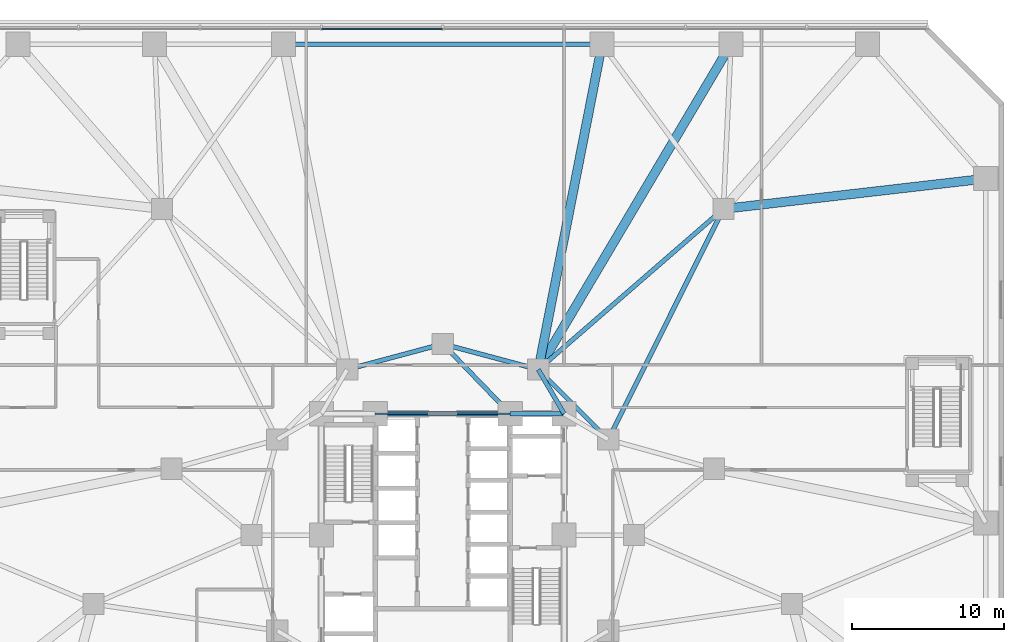
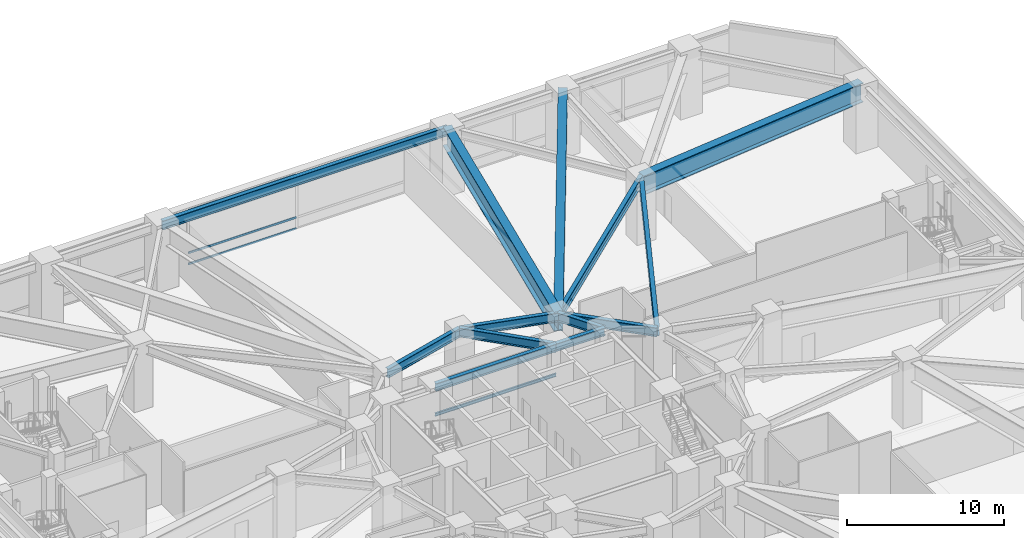
# One storey, part 10 of 28: 14 beams, 3 members, 1 element without a shape of its own.
"""IFC4 building model written with IfcOpenShell, lengths in metres."""

from ifc_helpers import new_model, si_unit, direction, frame, origin, origin_2d, place, context, subcontext, project, spatial, rectangle, i_section, extrude, material, layer, layer_set, material_profile, profile_set, type_object, element, aggregate, save


model = new_model("IFC4")

# Units and contexts
model_context = context("Model", 3, precision=1e-05, world=origin(), true_north=direction((0.0, 1.0)))
body_context = subcontext(model_context, "Body", "Model", "MODEL_VIEW")
ifc_project = project(units=[si_unit("LENGTHUNIT", "METRE"), si_unit("AREAUNIT", "SQUARE_METRE"), si_unit("VOLUMEUNIT", "CUBIC_METRE"), si_unit("PLANEANGLEUNIT", "RADIAN"), si_unit("MASSUNIT", "GRAM", prefix="KILO")], contexts=[model_context])

# Site, building, storey
site_placement = place(None, origin())
site = spatial("IfcSite", under=ifc_project, at=site_placement, CompositionType="ELEMENT")
building_placement = place(site_placement, origin())
building = spatial("IfcBuilding", under=site, at=building_placement, Name="Terralouvre Media Tower", CompositionType="ELEMENT")
storey_placement = place(building_placement, frame((0.0, 0.0, 10.39990234375)))
storey = spatial("IfcBuildingStorey", under=building, at=storey_placement, Name="L02", CompositionType="ELEMENT", Elevation=10.39990234375)

# Curtain wall, members
ifc_material_1 = material(Name="Low-iron laminated double glazing with solar-control coating", Category="glass")
ifc_layer = layer(ifc_material_1, 0.1650390625, Name="Podium Broadcast Gallery Glazing CW-01")
ifc_layer_set = layer_set([ifc_layer], Name="Low-iron laminated double glazing with solar-control coating")
curtain_wall_type = type_object("IfcCurtainWallType", Name="Podium Broadcast Gallery Glazing CW-01", PredefinedType="NOTDEFINED", material=ifc_layer_set)
curtain_wall_placement = place(storey_placement, origin())
curtain_wall = element("IfcCurtainWall", 1, at=curtain_wall_placement, inside=storey, type_object=curtain_wall_type, Name="L02 Podium Curtain Wall F4", PredefinedType="NOTDEFINED")
ifc_material_2 = material(Name="Anodised extruded aluminium 6063-T6", Category="aluminium")
ifc_material_profile_1 = material_profile(ifc_material_2, rectangle(XDim=0.074951171875, YDim=0.14990234375, at=origin_2d()), Name="ALU 75x150")
ifc_profile_set_1 = profile_set([ifc_material_profile_1], Name="Anodised extruded aluminium 6063-T6")
member_type = type_object("IfcMemberType", Name="Curtain-Wall Horizontal Transom TR-150", PredefinedType="USERDEFINED", material=ifc_profile_set_1)
member_1_placement = place(storey_placement, frame((-0.03759765625, 33.360107421875, 0.03759765625), z_axis=(-1.0, 0.0, 0.0), x_axis=(0.0, -1.0, 0.0)))
member_1 = element("IfcMember", 2, at=member_1_placement, type_object=member_type, Name="CW-01 transom 5.1", ObjectType="TRANSOM", PredefinedType="USERDEFINED", context=body_context, shape_type="SweptSolid", body=[
    extrude(rectangle(XDim=0.074951171875, YDim=0.14990234375, at=origin_2d()), origin(), (0.0, 0.0, 1.0), 7.9248046875),
])
member_2_placement = place(storey_placement, frame((-0.03759765625, 33.360107421875, 0.900146484375), z_axis=(-1.0, 0.0, 0.0), x_axis=(0.0, -1.0, 0.0)))
member_2 = element("IfcMember", 3, at=member_2_placement, type_object=member_type, Name="CW-01 transom 5.2", ObjectType="TRANSOM", PredefinedType="USERDEFINED", context=body_context, shape_type="SweptSolid", body=[
    extrude(rectangle(XDim=0.074951171875, YDim=0.14990234375, at=origin_2d()), origin(), (0.0, 0.0, 1.0), 7.9248046875),
])
member_3_placement = place(storey_placement, frame((-0.03759765625, 33.360107421875, 4.192626953125), z_axis=(-1.0, 0.0, 0.0), x_axis=(0.0, -1.0, 0.0)))
member_3 = element("IfcMember", 4, at=member_3_placement, type_object=member_type, Name="CW-01 transom 5.3", ObjectType="TRANSOM", PredefinedType="USERDEFINED", context=body_context, shape_type="SweptSolid", body=[
    extrude(rectangle(XDim=0.074951171875, YDim=0.14990234375, at=origin_2d()), origin(), (0.0, 0.0, 1.0), 7.9248046875),
])
aggregate(curtain_wall, [member_1, member_2, member_3])

# Beams
ifc_material_3 = material(Name="Structural steel S355J2", Category="steel")
ifc_material_profile_2 = material_profile(ifc_material_3, i_section(OverallWidth=0.1201171875, OverallDepth=0.239990234375, WebThickness=0.006103515625, FlangeThickness=0.009765625, at=origin_2d()), Name="IPE 240")
ifc_profile_set_2 = profile_set([ifc_material_profile_2], Name="Structural steel S355J2")
beam_type_1 = type_object("IfcBeamType", Name="Opening Lintel Beam LN-240 (IPE 240)", PredefinedType="LINTEL", material=ifc_profile_set_2)
beam_1_placement = place(storey_placement, frame((-4.449951171875, 8.0, 2.47021484375), z_axis=(1.0, 0.0, 0.0), x_axis=(0.0, 1.0, 0.0)))
element("IfcBeam", 5, at=beam_1_placement, inside=storey, type_object=beam_type_1, Name="L02 Core North Portal Lintel LN-05", PredefinedType="LINTEL", context=body_context, shape_type="SweptSolid", body=[
    extrude(i_section(OverallWidth=0.1201171875, OverallDepth=0.239990234375, WebThickness=0.006103515625, FlangeThickness=0.009765625, at=origin_2d()), origin(), (0.0, 0.0, 1.0), 8.89990234375),
])
ifc_material_4 = material(Name="Structural steel S460M", Category="steel")
ifc_material_profile_3 = material_profile(ifc_material_4, i_section(OverallWidth=0.300048828125, OverallDepth=0.60009765625, WebThickness=0.015380859375, FlangeThickness=0.030029296875, at=origin_2d()), Name="HEB 600")
ifc_profile_set_3 = profile_set([ifc_material_profile_3], Name="Structural steel S460M")
beam_type_2 = type_object("IfcBeamType", Name="Primary Floor Girder B-HEB600 (HEB 600)", PredefinedType="BEAM", material=ifc_profile_set_3)
beam_2_placement = place(storey_placement, frame((8.0, 8.0, 4.650146484375), z_axis=(-1.0, 0.0, 0.0), x_axis=(0.0, -1.0, 0.0)))
element("IfcBeam", 6, at=beam_2_placement, inside=storey, type_object=beam_type_2, Name="L02 Framing Beam BM-L02-CPR06", PredefinedType="BEAM", context=body_context, shape_type="SweptSolid", body=[
    extrude(i_section(OverallWidth=0.300048828125, OverallDepth=0.60009765625, WebThickness=0.015380859375, FlangeThickness=0.030029296875, at=origin_2d()), origin(), (0.0, 0.0, 1.0), 3.550048828125),
])
beam_3_placement = place(storey_placement, frame((4.449951171875, 8.0, 4.650146484375), z_axis=(-1.0, 0.0, 0.0), x_axis=(0.0, -1.0, 0.0)))
element("IfcBeam", 7, at=beam_3_placement, inside=storey, type_object=beam_type_2, Name="L02 Framing Beam BM-L02-CPR07", PredefinedType="BEAM", context=body_context, shape_type="SweptSolid", body=[
    extrude(i_section(OverallWidth=0.300048828125, OverallDepth=0.60009765625, WebThickness=0.015380859375, FlangeThickness=0.030029296875, at=origin_2d()), origin(), (0.0, 0.0, 1.0), 8.89990234375),
])
ifc_material_5 = material(Name="Structural steel S460M", Category="steel")
ifc_material_profile_4 = material_profile(ifc_material_5, i_section(OverallWidth=0.300048828125, OverallDepth=0.699951171875, WebThickness=0.01708984375, FlangeThickness=0.031982421875, at=origin_2d()), Name="HEB 700")
ifc_profile_set_4 = profile_set([ifc_material_profile_4], Name="Structural steel S460M")
beam_type_3 = type_object("IfcBeamType", Name="Primary Floor Girder B-HEB700 (HEB 700)", PredefinedType="BEAM", material=ifc_profile_set_4)
beam_4_placement = place(storey_placement, frame((10.911865234375, 6.300048828125, 4.60009765625), z_axis=(-0.707106781187, 0.707106781187, 0.0), x_axis=(-0.707106781187, -0.707106781187, 0.0)))
element("IfcBeam", 8, at=beam_4_placement, inside=storey, type_object=beam_type_3, Name="L02 Framing Beam BM-L02-MR07", PredefinedType="BEAM", context=body_context, shape_type="SweptSolid", body=[
    extrude(i_section(OverallWidth=0.300048828125, OverallDepth=0.699951171875, WebThickness=0.01708984375, FlangeThickness=0.031982421875, at=origin_2d()), origin(), (0.0, 0.0, 1.0), 6.52197265625),
])
for number, where, z_axis, x_axis, name in (
    (9, (6.300048828125, 10.911865234375, 4.60009765625), (-0.965920481897, 0.258838989821, 0.0), (-0.258838989821, -0.965920481897, 0.0), "L02 Framing Beam BM-L02-MR08"),
    (10, (0.0, 12.60009765625, 4.60009765625), (-0.965920481897, -0.258838989821, 0.0), (0.258838989821, -0.965920481897, 0.0), "L02 Framing Beam BM-L02-MR09"),
):
    element("IfcBeam", number, at=place(storey_placement, frame(where, z_axis=z_axis, x_axis=x_axis)), inside=storey, type_object=beam_type_3, Name=name, PredefinedType="BEAM", context=body_context, shape_type="SweptSolid", body=[
        extrude(i_section(OverallWidth=0.300048828125, OverallDepth=0.699951171875, WebThickness=0.01708984375, FlangeThickness=0.031982421875, at=origin_2d()), origin(), (0.0, 0.0, 1.0), 6.522216796875),
    ])
beam_5_placement = place(storey_placement, frame((8.0, 8.0, 4.60009765625), z_axis=(-0.504172629717, 0.863602894532, 0.0), x_axis=(-0.863602894532, -0.504172629717, 0.0)))
element("IfcBeam", 11, at=beam_5_placement, inside=storey, type_object=beam_type_3, Name="L02 Framing Beam BM-L02-CM08", PredefinedType="BEAM", context=body_context, shape_type="SweptSolid", body=[
    extrude(i_section(OverallWidth=0.300048828125, OverallDepth=0.699951171875, WebThickness=0.01708984375, FlangeThickness=0.031982421875, at=origin_2d()), origin(), (0.0, 0.0, 1.0), 3.371826171875),
])
beam_6_placement = place(storey_placement, frame((4.449951171875, 8.0, 4.60009765625), z_axis=(-0.695279715726, 0.718739255155, 0.0), x_axis=(-0.718739255155, -0.695279715726, 0.0)))
element("IfcBeam", 12, at=beam_6_placement, inside=storey, type_object=beam_type_3, Name="L02 Framing Beam BM-L02-CM09", PredefinedType="BEAM", context=body_context, shape_type="SweptSolid", body=[
    extrude(i_section(OverallWidth=0.300048828125, OverallDepth=0.699951171875, WebThickness=0.01708984375, FlangeThickness=0.031982421875, at=origin_2d()), origin(), (0.0, 0.0, 1.0), 6.400146484375),
])
beam_7_placement = place(storey_placement, frame((6.300048828125, 10.911865234375, 4.60009765625), z_axis=(0.755234116228, 0.65545513171, 0.0), x_axis=(-0.65545513171, 0.755234116228, 0.0)))
element("IfcBeam", 13, at=beam_7_placement, inside=storey, type_object=beam_type_3, Name="L02 Framing Beam BM-L02-PM20M1", PredefinedType="BEAM", context=body_context, shape_type="SweptSolid", body=[
    extrude(i_section(OverallWidth=0.300048828125, OverallDepth=0.699951171875, WebThickness=0.01708984375, FlangeThickness=0.031982421875, at=origin_2d()), origin(), (0.0, 0.0, 1.0), 16.15380859375),
])
beam_8_placement = place(storey_placement, frame((10.911865234375, 6.300048828125, 4.60009765625), z_axis=(0.446655925193, 0.894705808906, 0.0), x_axis=(-0.894705808906, 0.446655925193, 0.0)))
element("IfcBeam", 14, at=beam_8_placement, inside=storey, type_object=beam_type_3, Name="L02 Framing Beam BM-L02-PM20M2", PredefinedType="BEAM", context=body_context, shape_type="SweptSolid", body=[
    extrude(i_section(OverallWidth=0.300048828125, OverallDepth=0.699951171875, WebThickness=0.01708984375, FlangeThickness=0.031982421875, at=origin_2d()), origin(), (0.0, 0.0, 1.0), 16.98876953125),
])
beam_9_placement = place(storey_placement, frame((10.5, 32.35009765625, 4.60009765625), z_axis=(-1.0, 0.0, 0.0), x_axis=(0.0, -1.0, 0.0)))
element("IfcBeam", 15, at=beam_9_placement, inside=storey, type_object=beam_type_3, Name="L02 Framing Beam BM-L02-PR13", PredefinedType="BEAM", context=body_context, shape_type="SweptSolid", body=[
    extrude(i_section(OverallWidth=0.300048828125, OverallDepth=0.699951171875, WebThickness=0.01708984375, FlangeThickness=0.031982421875, at=origin_2d()), origin(), (0.0, 0.0, 1.0), 21.0),
])
ifc_material_6 = material(Name="Structural steel S460M", Category="steel")
ifc_material_profile_5 = material_profile(ifc_material_6, i_section(OverallWidth=0.60009765625, OverallDepth=1.5, WebThickness=0.033935546875, FlangeThickness=0.054931640625, at=origin_2d()), Name="PG 1500x600")
ifc_profile_set_5 = profile_set([ifc_material_profile_5], Name="Structural steel S460M")
beam_type_4 = type_object("IfcBeamType", Name="Primary Floor Girder B-PG1500 (PG 1500x600)", PredefinedType="BEAM", material=ifc_profile_set_5)
beam_10_placement = place(storey_placement, frame((18.5, 21.5, 4.2001953125), z_axis=(0.993383801046, 0.114841733791, 0.0), x_axis=(-0.114841733791, 0.993383801046, 0.0)))
element("IfcBeam", 16, at=beam_10_placement, inside=storey, type_object=beam_type_4, Name="L02 Framing Beam BM-L02-RD10", PredefinedType="BEAM", context=body_context, shape_type="SweptSolid", body=[
    extrude(i_section(OverallWidth=0.60009765625, OverallDepth=1.5, WebThickness=0.033935546875, FlangeThickness=0.054931640625, at=origin_2d()), origin(), (0.0, 0.0, 1.0), 17.415283203125),
])
beam_11_placement = place(storey_placement, frame((6.300048828125, 10.911865234375, 4.2001953125), z_axis=(0.509678035934, 0.860365212969, 0.0), x_axis=(-0.860365212969, 0.509678035934, 0.0)))
element("IfcBeam", 17, at=beam_11_placement, inside=storey, type_object=beam_type_4, Name="L02 Framing Beam BM-L02-RD12", PredefinedType="BEAM", context=body_context, shape_type="SweptSolid", body=[
    extrude(i_section(OverallWidth=0.60009765625, OverallDepth=1.5, WebThickness=0.033935546875, FlangeThickness=0.054931640625, at=origin_2d()), origin(), (0.0, 0.0, 1.0), 24.91748046875),
])
beam_12_placement = place(storey_placement, frame((6.300048828125, 10.911865234375, 4.2001953125), z_axis=(0.192254717948, 0.981345058288, 0.0), x_axis=(-0.981345058288, 0.192254717948, 0.0)))
element("IfcBeam", 18, at=beam_12_placement, inside=storey, type_object=beam_type_4, Name="L02 Framing Beam BM-L02-RD13", PredefinedType="BEAM", context=body_context, shape_type="SweptSolid", body=[
    extrude(i_section(OverallWidth=0.60009765625, OverallDepth=1.5, WebThickness=0.033935546875, FlangeThickness=0.054931640625, at=origin_2d()), origin(), (0.0, 0.0, 1.0), 21.845703125),
])

save(model, "model.ifc")
